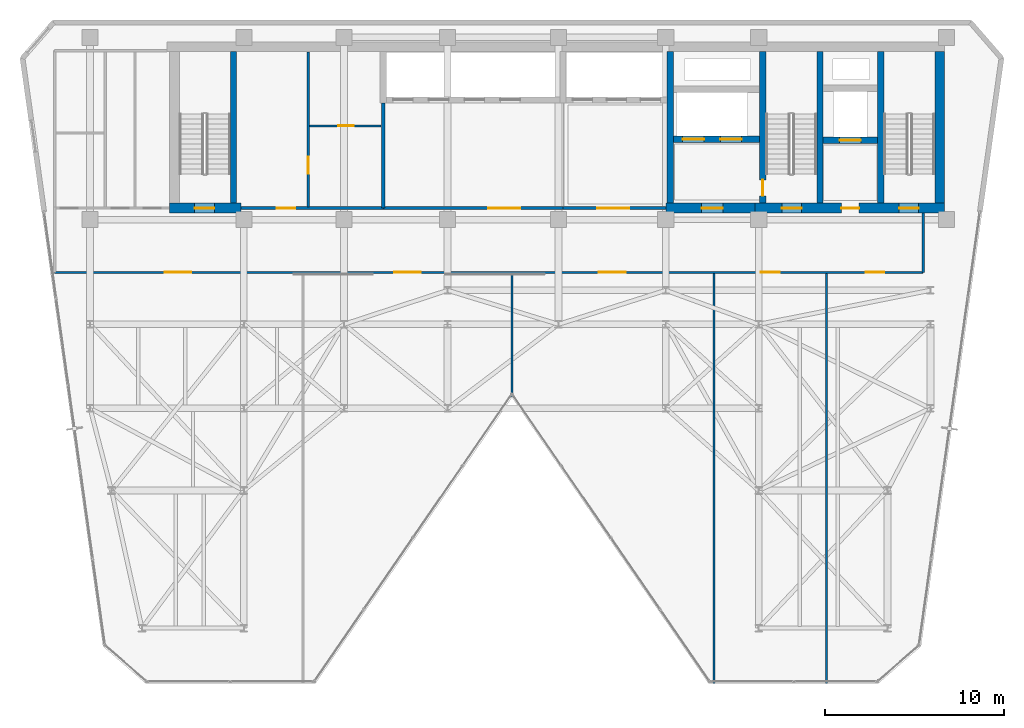
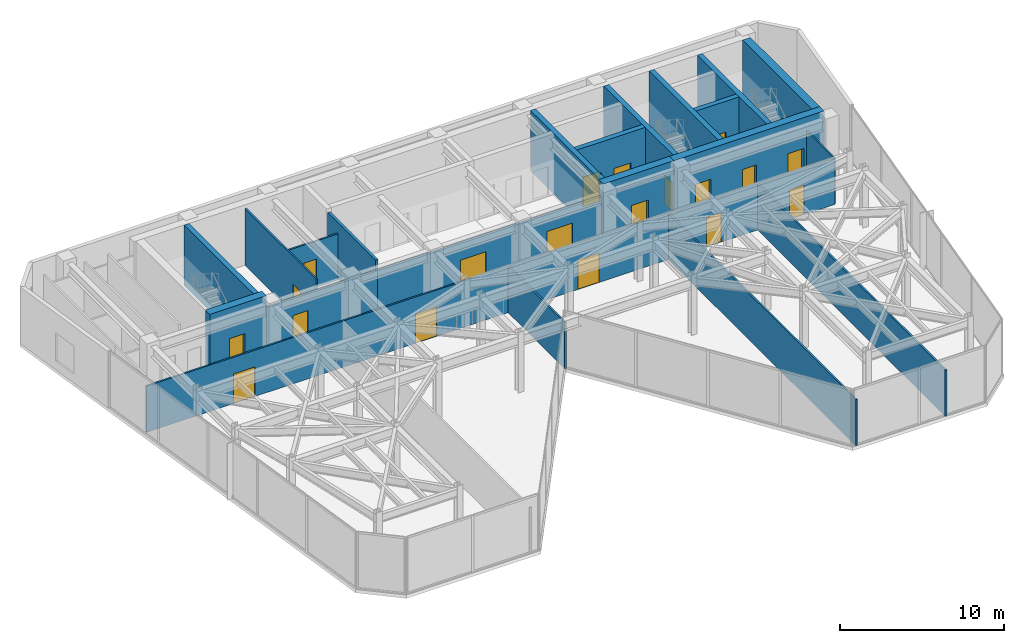
# One storey, part 22 of 25: 22 walls, 19 doors, 19 openings.
"""IFC4 building model written with IfcOpenShell, lengths in metres."""

from ifc_helpers import new_model, si_unit, direction, frame, frame_2d, origin, place, context, subcontext, project, spatial, rectangle, extrude, material, layer, layer_set, type_object, element, fill, save


model = new_model("IFC4")

# Units and contexts
model_context = context("Model", 3, precision=1e-05, world=origin(), true_north=direction((0.0, 1.0)))
body_context = subcontext(model_context, "Body", "Model", "MODEL_VIEW")
ifc_project = project(units=[si_unit("LENGTHUNIT", "METRE"), si_unit("AREAUNIT", "SQUARE_METRE"), si_unit("VOLUMEUNIT", "CUBIC_METRE"), si_unit("PLANEANGLEUNIT", "RADIAN"), si_unit("MASSUNIT", "GRAM", prefix="KILO")], contexts=[model_context])

# Site, building, storey
site_placement = place(None, origin())
site = spatial("IfcSite", under=ifc_project, at=site_placement, CompositionType="ELEMENT")
building_placement = place(site_placement, origin())
building = spatial("IfcBuilding", under=site, at=building_placement, Name="Kravanh Interchange Tower", CompositionType="ELEMENT")
storey_placement = place(building_placement, frame((0.0, 0.0, 220.5)))
storey = spatial("IfcBuildingStorey", under=building, at=storey_placement, Name="L53", CompositionType="ELEMENT", Elevation=220.5)

# Wall, opening, door
ifc_material_1 = material(Name="Double Acoustic Gypsum Board and Mineral Wool")
ifc_layer_1 = layer(ifc_material_1, 0.1201171875)
ifc_layer_set_1 = layer_set([ifc_layer_1], Name="Acoustic Office Drywall Partition 120mm")
wall_type_1 = type_object("IfcWallType", Name="Acoustic Office Drywall Partition 120mm", PredefinedType="PARTITIONING", material=ifc_layer_set_1)
wall_1_placement = place(storey_placement, frame((30.800048828125, 38.068115234375, 0.0), z_axis=(0.0, 0.0, 1.0), x_axis=(0.0, 1.0, 0.0)))
wall_1 = element("IfcWall", 1, at=wall_1_placement, inside=storey, type_object=wall_type_1, Name="L53 Interior Partition 4", PredefinedType="PARTITIONING", context=body_context, shape_type="SweptSolid", body=[
    extrude(rectangle(XDim=8.673828125, YDim=0.1201171875, at=frame_2d((4.3369140625, 0.0))), origin(), (0.0, 0.0, 1.0), 4.219970703125),
])
opening_1_placement = place(wall_1_placement, frame((1.865234375, 0.0, 0.0)))
opening_1 = element("IfcOpeningElement", 2, at=opening_1_placement, cuts=wall_1, Name="Opening D-95", PredefinedType="OPENING", context=body_context, shape_type="SweptSolid", body=[
    extrude(rectangle(XDim=0.949951171875, YDim=2.14990234375, at=frame_2d((0.47509765625, 1.074951171875))), frame((0.0, 0.070068359375, 0.0), z_axis=(0.0, -1.0, 0.0), x_axis=(1.0, 0.0, 0.0)), (0.0, 0.0, 1.0), 0.14013671875),
])
ifc_material_2 = material(Name="Laminate Solid-Core Timber", Category="wood")
door_type_1 = type_object("IfcDoorType", Name="Accessible Restroom Door 950x2150", OperationType="NOTDEFINED", PredefinedType="DOOR", material=ifc_material_2)
door_1_placement = place(opening_1_placement, origin())
door_1 = element("IfcDoor", 3, at=door_1_placement, inside=storey, type_object=door_type_1, Name="L53 Copy Hub Inner Door", OperationType="SINGLE_SWING_LEFT", OverallHeight=2.14990234375, OverallWidth=0.949951171875, PredefinedType="DOOR", context=body_context, shape_type="SweptSolid", body=[
    extrude(rectangle(XDim=0.949951171875, YDim=2.14990234375, at=frame_2d((0.47509765625, 1.074951171875))), frame((0.0, 0.02490234375, 0.0), z_axis=(0.0, -1.0, 0.0), x_axis=(1.0, 0.0, 0.0)), (0.0, 0.0, 1.0), 0.050048828125),
])
fill(opening_1, door_1)

wall_2_placement = place(storey_placement, frame((30.867919921875, 42.60009765625, 0.0), z_axis=(0.0, 0.0, 1.0), x_axis=(1.0, 0.0, 0.0)))
wall_2 = element("IfcWall", 4, at=wall_2_placement, inside=storey, type_object=wall_type_1, Name="L53 Interior Partition 5", PredefinedType="PARTITIONING", context=body_context, shape_type="SweptSolid", body=[
    extrude(rectangle(XDim=4.01416015625, YDim=0.1201171875, at=frame_2d((2.007080078125, 0.0))), origin(), (0.0, 0.0, 1.0), 3.447021484375),
])
opening_2_placement = place(wall_2_placement, frame((1.622314453125, 0.0, 0.0)))
opening_2 = element("IfcOpeningElement", 5, at=opening_2_placement, cuts=wall_2, Name="Opening D-85", PredefinedType="OPENING", context=body_context, shape_type="SweptSolid", body=[
    extrude(rectangle(XDim=0.85009765625, YDim=2.10009765625, at=frame_2d((0.425048828125, 1.050048828125))), frame((0.0, 0.070068359375, 0.0), z_axis=(0.0, -1.0, 0.0), x_axis=(1.0, 0.0, 0.0)), (0.0, 0.0, 1.0), 0.14013671875),
])
ifc_material_3 = material(Name="Engineered Teak Veneer Timber", Category="wood")
door_type_2 = type_object("IfcDoorType", Name="En-Suite Timber Door 850x2100", OperationType="NOTDEFINED", PredefinedType="DOOR", material=ifc_material_3)
door_2_placement = place(opening_2_placement, origin())
door_2 = element("IfcDoor", 6, at=door_2_placement, inside=storey, type_object=door_type_2, Name="L53 Records Store Inner Door", OperationType="SINGLE_SWING_RIGHT", OverallHeight=2.10009765625, OverallWidth=0.85009765625, PredefinedType="DOOR", context=body_context, shape_type="SweptSolid", body=[
    extrude(rectangle(XDim=0.85009765625, YDim=2.10009765625, at=frame_2d((0.425048828125, 1.050048828125))), frame((0.0, 0.02490234375, 0.0), z_axis=(0.0, -1.0, 0.0), x_axis=(1.0, 0.0, 0.0)), (0.0, 0.0, 1.0), 0.050048828125),
])
fill(opening_2, door_2)

# Wall, openings, doors
wall_3_placement = place(storey_placement, frame((16.6201171875, 34.39990234375, 0.0), z_axis=(0.0, 0.0, 1.0), x_axis=(1.0, 0.0, 0.0)))
wall_3 = element("IfcWall", 7, at=wall_3_placement, inside=storey, type_object=wall_type_1, Name="L53 Interior Partition 13", PredefinedType="PARTITIONING", context=body_context, shape_type="SweptSolid", body=[
    extrude(rectangle(XDim=48.579833984375, YDim=0.1201171875, at=frame_2d((24.2900390625, 0.0))), origin(), (0.0, 0.0, 1.0), 3.447021484375),
])
opening_3_placement = place(wall_3_placement, frame((6.14990234375, 0.0, 0.0)))
opening_3 = element("IfcOpeningElement", 8, at=opening_3_placement, cuts=wall_3, Name="Opening DBL-150", PredefinedType="OPENING", context=body_context, shape_type="SweptSolid", body=[
    extrude(rectangle(XDim=1.5, YDim=2.199951171875, at=frame_2d((0.75, 1.10009765625))), frame((0.0, 0.070068359375, 0.0), z_axis=(0.0, -1.0, 0.0), x_axis=(1.0, 0.0, 0.0)), (0.0, 0.0, 1.0), 0.14013671875),
])
opening_4_placement = place(wall_3_placement, frame((18.97998046875, 0.0, 0.0)))
opening_4 = element("IfcOpeningElement", 9, at=opening_4_placement, cuts=wall_3, Name="Opening DBL-150", PredefinedType="OPENING", context=body_context, shape_type="SweptSolid", body=[
    extrude(rectangle(XDim=1.5, YDim=2.199951171875, at=frame_2d((0.75, 1.10009765625))), frame((0.0, 0.070068359375, 0.0), z_axis=(0.0, -1.0, 0.0), x_axis=(1.0, 0.0, 0.0)), (0.0, 0.0, 1.0), 0.14013671875),
])
opening_5_placement = place(wall_3_placement, frame((30.43994140625, 0.0, 0.0)))
opening_5 = element("IfcOpeningElement", 10, at=opening_5_placement, cuts=wall_3, Name="Opening DBL-150", PredefinedType="OPENING", context=body_context, shape_type="SweptSolid", body=[
    extrude(rectangle(XDim=1.5, YDim=2.199951171875, at=frame_2d((0.75, 1.10009765625))), frame((0.0, 0.070068359375, 0.0), z_axis=(0.0, -1.0, 0.0), x_axis=(1.0, 0.0, 0.0)), (0.0, 0.0, 1.0), 0.14013671875),
])
opening_6_placement = place(wall_3_placement, frame((39.5048828125, 0.0, 0.0)))
opening_6 = element("IfcOpeningElement", 11, at=opening_6_placement, cuts=wall_3, Name="Opening D-105", PredefinedType="OPENING", context=body_context, shape_type="SweptSolid", body=[
    extrude(rectangle(XDim=1.050048828125, YDim=2.199951171875, at=frame_2d((0.52490234375, 1.10009765625))), frame((0.0, 0.070068359375, 0.0), z_axis=(0.0, -1.0, 0.0), x_axis=(1.0, 0.0, 0.0)), (0.0, 0.0, 1.0), 0.14013671875),
])
opening_7_placement = place(wall_3_placement, frame((45.35498046875, 0.0, 0.0)))
opening_7 = element("IfcOpeningElement", 12, at=opening_7_placement, cuts=wall_3, Name="Opening D-105", PredefinedType="OPENING", context=body_context, shape_type="SweptSolid", body=[
    extrude(rectangle(XDim=1.050048828125, YDim=2.199951171875, at=frame_2d((0.52490234375, 1.10009765625))), frame((0.0, 0.070068359375, 0.0), z_axis=(0.0, -1.0, 0.0), x_axis=(1.0, 0.0, 0.0)), (0.0, 0.0, 1.0), 0.14013671875),
])
ifc_material_4 = material(Name="Acoustic Timber and Toughened Glass", Category="wood")
door_type_3 = type_object("IfcDoorType", Name="Conference Hall Double Door 1500x2200", OperationType="DOUBLE_DOOR_SINGLE_SWING", PredefinedType="DOOR", material=ifc_material_4)
door_3_placement = place(opening_3_placement, origin())
door_3 = element("IfcDoor", 13, at=door_3_placement, inside=storey, type_object=door_type_3, Name="L53 Hotel Sky Reception Office Door", OperationType="DOUBLE_DOOR_SINGLE_SWING", OverallHeight=2.199951171875, OverallWidth=1.5, PredefinedType="DOOR", context=body_context, shape_type="SweptSolid", body=[
    extrude(rectangle(XDim=1.5, YDim=2.199951171875, at=frame_2d((0.75, 1.10009765625))), frame((0.0, 0.02490234375, 0.0), z_axis=(0.0, -1.0, 0.0), x_axis=(1.0, 0.0, 0.0)), (0.0, 0.0, 1.0), 0.050048828125),
])
fill(opening_3, door_3)
door_4_placement = place(opening_4_placement, origin())
door_4 = element("IfcDoor", 14, at=door_4_placement, inside=storey, type_object=door_type_3, Name="L53 West Panorama Lounge Door", OperationType="DOUBLE_DOOR_SINGLE_SWING", OverallHeight=2.199951171875, OverallWidth=1.5, PredefinedType="DOOR", context=body_context, shape_type="SweptSolid", body=[
    extrude(rectangle(XDim=1.5, YDim=2.199951171875, at=frame_2d((0.75, 1.10009765625))), frame((0.0, 0.02490234375, 0.0), z_axis=(0.0, -1.0, 0.0), x_axis=(1.0, 0.0, 0.0)), (0.0, 0.0, 1.0), 0.050048828125),
])
fill(opening_4, door_4)
door_5_placement = place(opening_5_placement, origin())
door_5 = element("IfcDoor", 15, at=door_5_placement, inside=storey, type_object=door_type_3, Name="L53 Mekong Dining Salon Door", OperationType="DOUBLE_DOOR_SINGLE_SWING", OverallHeight=2.199951171875, OverallWidth=1.5, PredefinedType="DOOR", context=body_context, shape_type="SweptSolid", body=[
    extrude(rectangle(XDim=1.5, YDim=2.199951171875, at=frame_2d((0.75, 1.10009765625))), frame((0.0, 0.02490234375, 0.0), z_axis=(0.0, -1.0, 0.0), x_axis=(1.0, 0.0, 0.0)), (0.0, 0.0, 1.0), 0.050048828125),
])
fill(opening_5, door_5)
ifc_material_5 = material(Name="Acoustic Glazed Oak and Aluminium", Category="aluminium")
door_type_4 = type_object("IfcDoorType", Name="Office Workplace Door 1050x2200", OperationType="NOTDEFINED", PredefinedType="DOOR", material=ifc_material_5)
door_6_placement = place(opening_6_placement, origin())
door_6 = element("IfcDoor", 16, at=door_6_placement, inside=storey, type_object=door_type_4, Name="L53 Private Banquet Boardroom Door", OperationType="SINGLE_SWING_RIGHT", OverallHeight=2.199951171875, OverallWidth=1.050048828125, PredefinedType="DOOR", context=body_context, shape_type="SweptSolid", body=[
    extrude(rectangle(XDim=1.050048828125, YDim=2.199951171875, at=frame_2d((0.52490234375, 1.10009765625))), frame((0.0, 0.02490234375, 0.0), z_axis=(0.0, -1.0, 0.0), x_axis=(1.0, 0.0, 0.0)), (0.0, 0.0, 1.0), 0.050048828125),
])
fill(opening_6, door_6)
door_7_placement = place(opening_7_placement, origin())
door_7 = element("IfcDoor", 17, at=door_7_placement, inside=storey, type_object=door_type_4, Name="L53 Culinary Finishing Kitchen Door", OperationType="SINGLE_SWING_LEFT", OverallHeight=2.199951171875, OverallWidth=1.050048828125, PredefinedType="DOOR", context=body_context, shape_type="SweptSolid", body=[
    extrude(rectangle(XDim=1.050048828125, YDim=2.199951171875, at=frame_2d((0.52490234375, 1.10009765625))), frame((0.0, 0.02490234375, 0.0), z_axis=(0.0, -1.0, 0.0), x_axis=(1.0, 0.0, 0.0)), (0.0, 0.0, 1.0), 0.050048828125),
])
fill(opening_7, door_7)

# Walls
wall_4_placement = place(storey_placement, frame((65.199951171875, 34.39990234375, 0.0), z_axis=(0.0, 0.0, 1.0), x_axis=(0.0, 1.0, 0.0)))
element("IfcWall", 18, at=wall_4_placement, inside=storey, type_object=wall_type_1, Name="L53 Interior Partition 15", PredefinedType="PARTITIONING", context=body_context, shape_type="SweptSolid", body=[
    extrude(rectangle(XDim=3.317138671875, YDim=0.1201171875, at=frame_2d((1.65869140625, 0.0))), origin(), (0.0, 0.0, 1.0), 3.447021484375),
])
wall_5_placement = place(storey_placement, frame((42.199951171875, 27.426513671875, 0.0), z_axis=(0.0, 0.0, 1.0), x_axis=(0.0, 1.0, 0.0)))
element("IfcWall", 19, at=wall_5_placement, inside=storey, type_object=wall_type_1, Name="L53 Interior Partition 17", PredefinedType="PARTITIONING", context=body_context, shape_type="SweptSolid", body=[
    extrude(rectangle(XDim=6.905517578125, YDim=0.1201171875, at=frame_2d((3.45263671875, 0.0))), origin(), (0.0, 0.0, 1.0), 3.447021484375),
])
for number, where, z_axis, x_axis, name in (
    (20, (53.5, 11.4150390625, 0.0), (0.0, 0.0, 1.0), (0.0, 1.0, 0.0), "L53 Interior Partition 18"),
    (21, (59.800048828125, 11.4150390625, 0.0), (0.0, 0.0, 1.0), (0.0, 1.0, 0.0), "L53 Interior Partition 19"),
):
    element("IfcWall", number, at=place(storey_placement, frame(where, z_axis=z_axis, x_axis=x_axis)), inside=storey, type_object=wall_type_1, Name=name, PredefinedType="PARTITIONING", context=body_context, shape_type="SweptSolid", body=[
        extrude(rectangle(XDim=22.9169921875, YDim=0.1201171875, at=frame_2d((11.45849609375, 0.0))), origin(), (0.0, 0.0, 1.0), 3.447021484375),
    ])
ifc_material_6 = material(Name="Concrete C60/75", Category="concrete")
ifc_layer_2 = layer(ifc_material_6, 0.35009765625)
ifc_layer_set_2 = layer_set([ifc_layer_2], Name="Core Shear Wall Concrete C60/75 350mm")
wall_type_2 = type_object("IfcWallType", Name="Core Shear Wall Concrete C60/75 350mm", PredefinedType="SHEAR", material=ifc_layer_set_2)
for number, where, z_axis, x_axis, name in (
    (22, (62.824951171875, 38.27490234375, 0.0), (0.0, 0.0, 1.0), (0.0, 1.0, 0.0), "L53 Stair ST1 West Shear Wall"),
    (23, (59.425048828125, 38.27490234375, 0.0), (0.0, 0.0, 1.0), (0.0, 1.0, 0.0), "L53 Stair ST2 East Shear Wall"),
):
    element("IfcWall", number, at=place(storey_placement, frame(where, z_axis=z_axis, x_axis=x_axis)), inside=storey, type_object=wall_type_2, Name=name, PredefinedType="SHEAR", context=body_context, shape_type="SweptSolid", body=[
        extrude(rectangle(XDim=8.47509765625, YDim=0.35009765625, at=frame_2d((4.237548828125, 0.0))), origin(), (0.0, 0.0, 1.0), 4.5),
    ])

# Wall, opening, door
wall_6_placement = place(storey_placement, frame((56.22509765625, 38.27490234375, 0.0), z_axis=(0.0, 0.0, 1.0), x_axis=(0.0, 1.0, 0.0)))
wall_6 = element("IfcWall", 24, at=wall_6_placement, inside=storey, type_object=wall_type_2, Name="L53 Stair ST2 West Shear Wall", PredefinedType="SHEAR", context=body_context, shape_type="SweptSolid", body=[
    extrude(rectangle(XDim=8.47509765625, YDim=0.35009765625, at=frame_2d((4.237548828125, 0.0))), origin(), (0.0, 0.0, 1.0), 4.5),
])
opening_8_placement = place(wall_6_placement, frame((0.405029296875, 0.0, 0.0)))
opening_8 = element("IfcOpeningElement", 25, at=opening_8_placement, cuts=wall_6, Name="Opening D-STAIR-90", PredefinedType="OPENING", context=body_context, shape_type="SweptSolid", body=[
    extrude(rectangle(XDim=0.89990234375, YDim=2.14990234375, at=frame_2d((0.449951171875, 1.074951171875))), frame((0.0, 0.18505859375, 0.0), z_axis=(0.0, -1.0, 0.0), x_axis=(1.0, 0.0, 0.0)), (0.0, 0.0, 1.0), 0.3701171875),
])
ifc_material_7 = material(Name="Structural Steel S355", Category="steel")
door_type_5 = type_object("IfcDoorType", Name="Fire-Rated Stair Lobby Door 900x2150", OperationType="NOTDEFINED", PredefinedType="DOOR", material=ifc_material_7)
door_8_placement = place(opening_8_placement, origin())
door_8 = element("IfcDoor", 26, at=door_8_placement, inside=storey, type_object=door_type_5, Name="L53 Firefighting Lobby to Stair ST2 Door", OperationType="SINGLE_SWING_LEFT", OverallHeight=2.14990234375, OverallWidth=0.89990234375, PredefinedType="DOOR", context=body_context, shape_type="SweptSolid", body=[
    extrude(rectangle(XDim=0.89990234375, YDim=2.14990234375, at=frame_2d((0.449951171875, 1.074951171875))), frame((0.0, 0.02490234375, 0.0), z_axis=(0.0, -1.0, 0.0), x_axis=(1.0, 0.0, 0.0)), (0.0, 0.0, 1.0), 0.050048828125),
])
fill(opening_8, door_8)

wall_7_placement = place(storey_placement, frame((59.60009765625, 41.800048828125, 0.0), z_axis=(0.0, 0.0, 1.0), x_axis=(1.0, 0.0, 0.0)))
wall_7 = element("IfcWall", 27, at=wall_7_placement, inside=storey, type_object=wall_type_2, Name="L53 Service Lift Shaft South Wall", PredefinedType="SHEAR", context=body_context, shape_type="SweptSolid", body=[
    extrude(rectangle(XDim=3.0498046875, YDim=0.35009765625, at=frame_2d((1.52490234375, 0.0))), origin(), (0.0, 0.0, 1.0), 4.5),
])
opening_9_placement = place(wall_7_placement, frame((0.919921875, 0.0, 0.0)))
opening_9 = element("IfcOpeningElement", 28, at=opening_9_placement, cuts=wall_7, Name="Opening LD02", PredefinedType="OPENING", context=body_context, shape_type="SweptSolid", body=[
    extrude(rectangle(XDim=1.199951171875, YDim=2.199951171875, at=frame_2d((0.60009765625, 1.10009765625))), frame((0.0, 0.18505859375, 0.0), z_axis=(0.0, -1.0, 0.0), x_axis=(1.0, 0.0, 0.0)), (0.0, 0.0, 1.0), 0.3701171875),
])
ifc_material_8 = material(Name="Stainless Steel 316", Category="steel")
door_type_6 = type_object("IfcDoorType", Name="Fire and Service Lift Sliding Landing Door 1200x2200", OperationType="DOUBLE_DOOR_SLIDING", PredefinedType="DOOR", material=ifc_material_8)
door_9_placement = place(opening_9_placement, origin())
door_9 = element("IfcDoor", 29, at=door_9_placement, inside=storey, type_object=door_type_6, Name="L53 Lift LS-01 Landing Door", OperationType="DOUBLE_DOOR_SLIDING", OverallHeight=2.199951171875, OverallWidth=1.199951171875, PredefinedType="DOOR", context=body_context, shape_type="SweptSolid", body=[
    extrude(rectangle(XDim=1.199951171875, YDim=2.199951171875, at=frame_2d((0.60009765625, 1.10009765625))), frame((0.0, 0.02490234375, 0.0), z_axis=(0.0, -1.0, 0.0), x_axis=(1.0, 0.0, 0.0)), (0.0, 0.0, 1.0), 0.050048828125),
])
fill(opening_9, door_9)

# Wall, openings, doors
wall_8_placement = place(storey_placement, frame((51.22509765625, 41.85009765625, 0.0), z_axis=(0.0, 0.0, 1.0), x_axis=(1.0, 0.0, 0.0)))
wall_8 = element("IfcWall", 30, at=wall_8_placement, inside=storey, type_object=wall_type_2, Name="L53 Fire Lift Shaft South Wall", PredefinedType="SHEAR", context=body_context, shape_type="SweptSolid", body=[
    extrude(rectangle(XDim=4.824951171875, YDim=0.35009765625, at=frame_2d((2.41259765625, 0.0))), origin(), (0.0, 0.0, 1.0), 4.5),
])
opening_10_placement = place(wall_8_placement, frame((0.52490234375, 0.0, 0.0)))
opening_10 = element("IfcOpeningElement", 31, at=opening_10_placement, cuts=wall_8, Name="Opening LD02", PredefinedType="OPENING", context=body_context, shape_type="SweptSolid", body=[
    extrude(rectangle(XDim=1.199951171875, YDim=2.199951171875, at=frame_2d((0.60009765625, 1.10009765625))), frame((0.0, 0.18505859375, 0.0), z_axis=(0.0, -1.0, 0.0), x_axis=(1.0, 0.0, 0.0)), (0.0, 0.0, 1.0), 0.3701171875),
])
opening_11_placement = place(wall_8_placement, frame((2.625, 0.0, 0.0)))
opening_11 = element("IfcOpeningElement", 32, at=opening_11_placement, cuts=wall_8, Name="Opening LD02", PredefinedType="OPENING", context=body_context, shape_type="SweptSolid", body=[
    extrude(rectangle(XDim=1.199951171875, YDim=2.199951171875, at=frame_2d((0.60009765625, 1.10009765625))), frame((0.0, 0.18505859375, 0.0), z_axis=(0.0, -1.0, 0.0), x_axis=(1.0, 0.0, 0.0)), (0.0, 0.0, 1.0), 0.3701171875),
])
door_10_placement = place(opening_10_placement, origin())
door_10 = element("IfcDoor", 33, at=door_10_placement, inside=storey, type_object=door_type_6, Name="L53 Lift FSAE-01 Landing Door", OperationType="DOUBLE_DOOR_SLIDING", OverallHeight=2.199951171875, OverallWidth=1.199951171875, PredefinedType="DOOR", context=body_context, shape_type="SweptSolid", body=[
    extrude(rectangle(XDim=1.199951171875, YDim=2.199951171875, at=frame_2d((0.60009765625, 1.10009765625))), frame((0.0, 0.02490234375, 0.0), z_axis=(0.0, -1.0, 0.0), x_axis=(1.0, 0.0, 0.0)), (0.0, 0.0, 1.0), 0.050048828125),
])
fill(opening_10, door_10)
door_11_placement = place(opening_11_placement, origin())
door_11 = element("IfcDoor", 34, at=door_11_placement, inside=storey, type_object=door_type_6, Name="L53 Lift FSAE-02 Landing Door", OperationType="DOUBLE_DOOR_SLIDING", OverallHeight=2.199951171875, OverallWidth=1.199951171875, PredefinedType="DOOR", context=body_context, shape_type="SweptSolid", body=[
    extrude(rectangle(XDim=1.199951171875, YDim=2.199951171875, at=frame_2d((0.60009765625, 1.10009765625))), frame((0.0, 0.02490234375, 0.0), z_axis=(0.0, -1.0, 0.0), x_axis=(1.0, 0.0, 0.0)), (0.0, 0.0, 1.0), 0.050048828125),
])
fill(opening_11, door_11)

# Walls
for number, where, z_axis, x_axis, name in (
    (35, (51.050048828125, 38.27490234375, 0.0), (0.0, 0.0, 1.0), (0.0, 1.0, 0.0), "L53 Firefighting Lobby West Wall"),
    (36, (26.625, 38.27490234375, 0.0), (0.0, 0.0, 1.0), (0.0, 1.0, 0.0), "L53 Stair ST3 East Shear Wall"),
):
    element("IfcWall", number, at=place(storey_placement, frame(where, z_axis=z_axis, x_axis=x_axis)), inside=storey, type_object=wall_type_2, Name=name, PredefinedType="SHEAR", context=body_context, shape_type="SweptSolid", body=[
        extrude(rectangle(XDim=8.47509765625, YDim=0.35009765625, at=frame_2d((4.237548828125, 0.0))), origin(), (0.0, 0.0, 1.0), 4.5),
    ])

# Wall, openings, doors
ifc_material_9 = material(Name="Concrete C70/85", Category="concrete")
ifc_layer_3 = layer(ifc_material_9, 0.550048828125)
ifc_layer_set_3 = layer_set([ifc_layer_3], Name="Core Shear Wall Concrete C70/85 550mm")
wall_type_3 = type_object("IfcWallType", Name="Core Shear Wall Concrete C70/85 550mm", PredefinedType="SHEAR", material=ifc_layer_set_3)
wall_9_placement = place(storey_placement, frame((55.800048828125, 38.0, 0.0), z_axis=(0.0, 0.0, 1.0), x_axis=(1.0, 0.0, 0.0)))
wall_9 = element("IfcWall", 37, at=wall_9_placement, inside=storey, type_object=wall_type_3, Name="L53 East Core South Shear Wall", PredefinedType="SHEAR", context=body_context, shape_type="SweptSolid", body=[
    extrude(rectangle(XDim=10.599853515625, YDim=0.550048828125, at=frame_2d((5.2998046875, 0.0))), origin(), (0.0, 0.0, 1.0), 4.5),
])
opening_12_placement = place(wall_9_placement, frame((1.5, 0.0, 0.0)))
opening_12 = element("IfcOpeningElement", 38, at=opening_12_placement, cuts=wall_9, Name="Opening D-STAIR-110", PredefinedType="OPENING", context=body_context, shape_type="SweptSolid", body=[
    extrude(rectangle(XDim=1.10009765625, YDim=2.199951171875, at=frame_2d((0.550048828125, 1.10009765625))), frame((0.0, 0.28515625, 0.0), z_axis=(0.0, -1.0, 0.0), x_axis=(1.0, 0.0, 0.0)), (0.0, 0.0, 1.0), 0.570068359375),
])
opening_13_placement = place(wall_9_placement, frame((4.820068359375, 0.0, 0.0)))
opening_13 = element("IfcOpeningElement", 39, at=opening_13_placement, cuts=wall_9, Name="Opening D-HOTEL-100", PredefinedType="OPENING", context=body_context, shape_type="SweptSolid", body=[
    extrude(rectangle(XDim=1.0, YDim=2.14990234375, at=frame_2d((0.5, 1.074951171875))), frame((0.0, 0.28515625, 0.0), z_axis=(0.0, -1.0, 0.0), x_axis=(1.0, 0.0, 0.0)), (0.0, 0.0, 1.0), 0.570068359375),
])
opening_14_placement = place(wall_9_placement, frame((8.050048828125, 0.0, 0.0)))
opening_14 = element("IfcOpeningElement", 40, at=opening_14_placement, cuts=wall_9, Name="Opening D-STAIR-110", PredefinedType="OPENING", context=body_context, shape_type="SweptSolid", body=[
    extrude(rectangle(XDim=1.10009765625, YDim=2.199951171875, at=frame_2d((0.550048828125, 1.10009765625))), frame((0.0, 0.28515625, 0.0), z_axis=(0.0, -1.0, 0.0), x_axis=(1.0, 0.0, 0.0)), (0.0, 0.0, 1.0), 0.570068359375),
])
ifc_material_10 = material(Name="Structural Steel S355", Category="steel")
door_type_7 = type_object("IfcDoorType", Name="Fire-Rated Exit Stair Door 1100x2200", OperationType="NOTDEFINED", PredefinedType="DOOR", material=ifc_material_10)
door_12_placement = place(opening_12_placement, origin())
door_12 = element("IfcDoor", 41, at=door_12_placement, inside=storey, type_object=door_type_7, Name="L53 Exit Stair ST2 Door", OperationType="SINGLE_SWING_RIGHT", OverallHeight=2.199951171875, OverallWidth=1.10009765625, PredefinedType="DOOR", context=body_context, shape_type="SweptSolid", body=[
    extrude(rectangle(XDim=1.10009765625, YDim=2.199951171875, at=frame_2d((0.550048828125, 1.10009765625))), frame((0.0, 0.02490234375, 0.0), z_axis=(0.0, -1.0, 0.0), x_axis=(1.0, 0.0, 0.0)), (0.0, 0.0, 1.0), 0.050048828125),
])
fill(opening_12, door_12)
door_13_placement = place(opening_14_placement, origin())
door_13 = element("IfcDoor", 42, at=door_13_placement, inside=storey, type_object=door_type_7, Name="L53 Exit Stair ST1 Door", OperationType="SINGLE_SWING_RIGHT", OverallHeight=2.199951171875, OverallWidth=1.10009765625, PredefinedType="DOOR", context=body_context, shape_type="SweptSolid", body=[
    extrude(rectangle(XDim=1.10009765625, YDim=2.199951171875, at=frame_2d((0.550048828125, 1.10009765625))), frame((0.0, 0.02490234375, 0.0), z_axis=(0.0, -1.0, 0.0), x_axis=(1.0, 0.0, 0.0)), (0.0, 0.0, 1.0), 0.050048828125),
])
fill(opening_14, door_13)
ifc_material_11 = material(Name="Fire-Rated Solid Timber Leaf", Category="wood")
door_type_8 = type_object("IfcDoorType", Name="Fire-Rated Suite Entrance Door 1000x2150", OperationType="NOTDEFINED", PredefinedType="DOOR", material=ifc_material_11)
door_14_placement = place(opening_13_placement, origin())
door_14 = element("IfcDoor", 43, at=door_14_placement, inside=storey, type_object=door_type_8, Name="L53 Service Lift Lobby Door", OperationType="SINGLE_SWING_RIGHT", OverallHeight=2.14990234375, OverallWidth=1.0, PredefinedType="DOOR", context=body_context, shape_type="SweptSolid", body=[
    extrude(rectangle(XDim=1.0, YDim=2.14990234375, at=frame_2d((0.5, 1.074951171875))), frame((0.0, 0.02490234375, 0.0), z_axis=(0.0, -1.0, 0.0), x_axis=(1.0, 0.0, 0.0)), (0.0, 0.0, 1.0), 0.050048828125),
])
fill(opening_13, door_14)

# Wall
wall_10_placement = place(storey_placement, frame((66.125, 38.27490234375, 0.0), z_axis=(0.0, 0.0, 1.0), x_axis=(0.0, 1.0, 0.0)))
element("IfcWall", 44, at=wall_10_placement, inside=storey, type_object=wall_type_3, Name="L53 Stair ST1 East Shear Wall", PredefinedType="SHEAR", context=body_context, shape_type="SweptSolid", body=[
    extrude(rectangle(XDim=8.47509765625, YDim=0.550048828125, at=frame_2d((4.237548828125, 0.0))), origin(), (0.0, 0.0, 1.0), 4.5),
])

# Wall, opening, door
wall_11_placement = place(storey_placement, frame((50.800048828125, 38.0, 0.0), z_axis=(0.0, 0.0, 1.0), x_axis=(1.0, 0.0, 0.0)))
wall_11 = element("IfcWall", 45, at=wall_11_placement, inside=storey, type_object=wall_type_3, Name="L53 Firefighting Lobby South Shear Wall", PredefinedType="SHEAR", context=body_context, shape_type="SweptSolid", body=[
    extrude(rectangle(XDim=5.0, YDim=0.550048828125, at=frame_2d((2.5, 0.0))), origin(), (0.0, 0.0, 1.0), 4.5),
])
opening_15_placement = place(wall_11_placement, frame((2.0, 0.0, 0.0)))
opening_15 = element("IfcOpeningElement", 46, at=opening_15_placement, cuts=wall_11, Name="Opening D-FSAE-120", PredefinedType="OPENING", context=body_context, shape_type="SweptSolid", body=[
    extrude(rectangle(XDim=1.199951171875, YDim=2.199951171875, at=frame_2d((0.60009765625, 1.10009765625))), frame((0.0, 0.28515625, 0.0), z_axis=(0.0, -1.0, 0.0), x_axis=(1.0, 0.0, 0.0)), (0.0, 0.0, 1.0), 0.570068359375),
])
ifc_material_12 = material(Name="Structural Steel S355", Category="steel")
door_type_9 = type_object("IfcDoorType", Name="Fire-Rated Refuge and FSAE Door 1200x2200", OperationType="NOTDEFINED", PredefinedType="DOOR", material=ifc_material_12)
door_15_placement = place(opening_15_placement, origin())
door_15 = element("IfcDoor", 47, at=door_15_placement, inside=storey, type_object=door_type_9, Name="L53 Firefighting Lobby Corridor Door", OperationType="SINGLE_SWING_RIGHT", OverallHeight=2.199951171875, OverallWidth=1.199951171875, PredefinedType="DOOR", context=body_context, shape_type="SweptSolid", body=[
    extrude(rectangle(XDim=1.199951171875, YDim=2.199951171875, at=frame_2d((0.60009765625, 1.10009765625))), frame((0.0, 0.02490234375, 0.0), z_axis=(0.0, -1.0, 0.0), x_axis=(1.0, 0.0, 0.0)), (0.0, 0.0, 1.0), 0.050048828125),
])
fill(opening_15, door_15)

wall_12_placement = place(storey_placement, frame((23.050048828125, 38.0, 0.0), z_axis=(0.0, 0.0, 1.0), x_axis=(1.0, 0.0, 0.0)))
wall_12 = element("IfcWall", 48, at=wall_12_placement, inside=storey, type_object=wall_type_3, Name="L53 Stair ST3 South Shear Wall", PredefinedType="SHEAR", context=body_context, shape_type="SweptSolid", body=[
    extrude(rectangle(XDim=4.0, YDim=0.550048828125, at=frame_2d((2.0, 0.0))), origin(), (0.0, 0.0, 1.0), 4.5),
])
opening_16_placement = place(wall_12_placement, frame((1.39990234375, 0.0, 0.0)))
opening_16 = element("IfcOpeningElement", 49, at=opening_16_placement, cuts=wall_12, Name="Opening D-STAIR-110", PredefinedType="OPENING", context=body_context, shape_type="SweptSolid", body=[
    extrude(rectangle(XDim=1.10009765625, YDim=2.199951171875, at=frame_2d((0.550048828125, 1.10009765625))), frame((0.0, 0.28515625, 0.0), z_axis=(0.0, -1.0, 0.0), x_axis=(1.0, 0.0, 0.0)), (0.0, 0.0, 1.0), 0.570068359375),
])
door_16_placement = place(opening_16_placement, origin())
door_16 = element("IfcDoor", 50, at=door_16_placement, inside=storey, type_object=door_type_7, Name="L53 Exit Stair ST3 Door", OperationType="SINGLE_SWING_RIGHT", OverallHeight=2.199951171875, OverallWidth=1.10009765625, PredefinedType="DOOR", context=body_context, shape_type="SweptSolid", body=[
    extrude(rectangle(XDim=1.10009765625, YDim=2.199951171875, at=frame_2d((0.550048828125, 1.10009765625))), frame((0.0, 0.02490234375, 0.0), z_axis=(0.0, -1.0, 0.0), x_axis=(1.0, 0.0, 0.0)), (0.0, 0.0, 1.0), 0.050048828125),
])
fill(opening_16, door_16)

ifc_material_13 = material(Name="Autoclaved Aerated Concrete C30/37 Blockwork", Category="masonry")
ifc_layer_4 = layer(ifc_material_13, 0.179931640625)
ifc_layer_set_4 = layer_set([ifc_layer_4], Name="Fire-Rated Lobby and Corridor Wall Concrete C30/37 180mm")
wall_type_4 = type_object("IfcWallType", Name="Fire-Rated Lobby and Corridor Wall Concrete C30/37 180mm", PredefinedType="STANDARD", material=ifc_layer_set_4)
wall_13_placement = place(storey_placement, frame((45.050048828125, 38.0, 0.0), z_axis=(0.0, 0.0, 1.0), x_axis=(1.0, 0.0, 0.0)))
wall_13 = element("IfcWall", 51, at=wall_13_placement, inside=storey, type_object=wall_type_4, Name="L53 High-Rise Lift Lobby Wall 1", PredefinedType="STANDARD", context=body_context, shape_type="SweptSolid", body=[
    extrude(rectangle(XDim=5.75, YDim=0.179931640625, at=frame_2d((2.875, 0.0))), origin(), (0.0, 0.0, 1.0), 3.447021484375),
])
opening_17_placement = place(wall_13_placement, frame((1.907958984375, 0.0, 0.0)))
opening_17 = element("IfcOpeningElement", 52, at=opening_17_placement, cuts=wall_13, Name="Opening DBL-180", PredefinedType="OPENING", context=body_context, shape_type="SweptSolid", body=[
    extrude(rectangle(XDim=1.800048828125, YDim=2.199951171875, at=frame_2d((0.89990234375, 1.10009765625))), frame((0.0, 0.10009765625, 0.0), z_axis=(0.0, -1.0, 0.0), x_axis=(1.0, 0.0, 0.0)), (0.0, 0.0, 1.0), 0.199951171875),
])
ifc_material_14 = material(Name="Structural Steel S355", Category="steel")
door_type_10 = type_object("IfcDoorType", Name="Lift Lobby Double Fire Door 1800x2200", OperationType="DOUBLE_DOOR_SINGLE_SWING", PredefinedType="DOOR", material=ifc_material_14)
door_17_placement = place(opening_17_placement, origin())
door_17 = element("IfcDoor", 53, at=door_17_placement, inside=storey, type_object=door_type_10, Name="L53 High-Rise Lift Lobby Double Door", OperationType="DOUBLE_DOOR_SINGLE_SWING", OverallHeight=2.199951171875, OverallWidth=1.800048828125, PredefinedType="DOOR", context=body_context, shape_type="SweptSolid", body=[
    extrude(rectangle(XDim=1.800048828125, YDim=2.199951171875, at=frame_2d((0.89990234375, 1.10009765625))), frame((0.0, 0.02490234375, 0.0), z_axis=(0.0, -1.0, 0.0), x_axis=(1.0, 0.0, 0.0)), (0.0, 0.0, 1.0), 0.050048828125),
])
fill(opening_17, door_17)

# Wall
wall_14_placement = place(storey_placement, frame((35.0, 38.0, 0.0), z_axis=(0.0, 0.0, 1.0), x_axis=(0.0, 1.0, 0.0)))
element("IfcWall", 54, at=wall_14_placement, inside=storey, type_object=wall_type_4, Name="L53 Interior Partition 3", PredefinedType="STANDARD", context=body_context, shape_type="SweptSolid", body=[
    extrude(rectangle(XDim=5.875, YDim=0.179931640625, at=frame_2d((2.9375, 0.0))), origin(), (0.0, 0.0, 1.0), 4.219970703125),
])

# Wall, opening, door
wall_15_placement = place(storey_placement, frame((35.0, 38.0, 0.0), z_axis=(0.0, 0.0, 1.0), x_axis=(1.0, 0.0, 0.0)))
wall_15 = element("IfcWall", 55, at=wall_15_placement, inside=storey, type_object=wall_type_4, Name="L53 Interior Partition 6", PredefinedType="STANDARD", context=body_context, shape_type="SweptSolid", body=[
    extrude(rectangle(XDim=10.050048828125, YDim=0.179931640625, at=frame_2d((5.02490234375, 0.0))), origin(), (0.0, 0.0, 1.0), 3.447021484375),
])
opening_18_placement = place(wall_15_placement, frame((5.85791015625, 0.0, 0.0)))
opening_18 = element("IfcOpeningElement", 56, at=opening_18_placement, cuts=wall_15, Name="Opening DBL-180", PredefinedType="OPENING", context=body_context, shape_type="SweptSolid", body=[
    extrude(rectangle(XDim=1.800048828125, YDim=2.199951171875, at=frame_2d((0.89990234375, 1.10009765625))), frame((0.0, 0.10009765625, 0.0), z_axis=(0.0, -1.0, 0.0), x_axis=(1.0, 0.0, 0.0)), (0.0, 0.0, 1.0), 0.199951171875),
])
door_18_placement = place(opening_18_placement, origin())
door_18 = element("IfcDoor", 57, at=door_18_placement, inside=storey, type_object=door_type_10, Name="L53 Mid-Rise Lift Lobby Door", OperationType="DOUBLE_DOOR_SINGLE_SWING", OverallHeight=2.199951171875, OverallWidth=1.800048828125, PredefinedType="DOOR", context=body_context, shape_type="SweptSolid", body=[
    extrude(rectangle(XDim=1.800048828125, YDim=2.199951171875, at=frame_2d((0.89990234375, 1.10009765625))), frame((0.0, 0.02490234375, 0.0), z_axis=(0.0, -1.0, 0.0), x_axis=(1.0, 0.0, 0.0)), (0.0, 0.0, 1.0), 0.050048828125),
])
fill(opening_18, door_18)

ifc_material_15 = material(Name="Twin Stud Acoustic Gypsum Board Wall")
ifc_layer_5 = layer(ifc_material_15, 0.14990234375)
ifc_layer_set_5 = layer_set([ifc_layer_5], Name="Medium-Duty Acoustic Partition 150mm")
wall_type_5 = type_object("IfcWallType", Name="Medium-Duty Acoustic Partition 150mm", PredefinedType="PARTITIONING", material=ifc_layer_set_5)
wall_16_placement = place(storey_placement, frame((27.050048828125, 38.0, 0.0), z_axis=(0.0, 0.0, 1.0), x_axis=(1.0, 0.0, 0.0)))
wall_16 = element("IfcWall", 58, at=wall_16_placement, inside=storey, type_object=wall_type_5, Name="L53 Interior Partition 2", PredefinedType="PARTITIONING", context=body_context, shape_type="SweptSolid", body=[
    extrude(rectangle(XDim=7.949951171875, YDim=0.14990234375, at=frame_2d((3.97509765625, 0.0))), origin(), (0.0, 0.0, 1.0), 3.447021484375),
])
opening_19_placement = place(wall_16_placement, frame((1.984619140625, 0.0, 0.0)))
opening_19 = element("IfcOpeningElement", 59, at=opening_19_placement, cuts=wall_16, Name="Opening D-105", PredefinedType="OPENING", context=body_context, shape_type="SweptSolid", body=[
    extrude(rectangle(XDim=1.050048828125, YDim=2.199951171875, at=frame_2d((0.52490234375, 1.10009765625))), frame((0.0, 0.0849609375, 0.0), z_axis=(0.0, -1.0, 0.0), x_axis=(1.0, 0.0, 0.0)), (0.0, 0.0, 1.0), 0.169921875),
])
door_19_placement = place(opening_19_placement, origin())
door_19 = element("IfcDoor", 60, at=door_19_placement, inside=storey, type_object=door_type_4, Name="L53 Staff Coffee Room Door", OperationType="SINGLE_SWING_RIGHT", OverallHeight=2.199951171875, OverallWidth=1.050048828125, PredefinedType="DOOR", context=body_context, shape_type="SweptSolid", body=[
    extrude(rectangle(XDim=1.050048828125, YDim=2.199951171875, at=frame_2d((0.52490234375, 1.10009765625))), frame((0.0, 0.02490234375, 0.0), z_axis=(0.0, -1.0, 0.0), x_axis=(1.0, 0.0, 0.0)), (0.0, 0.0, 1.0), 0.050048828125),
])
fill(opening_19, door_19)

save(model, "model.ifc")
